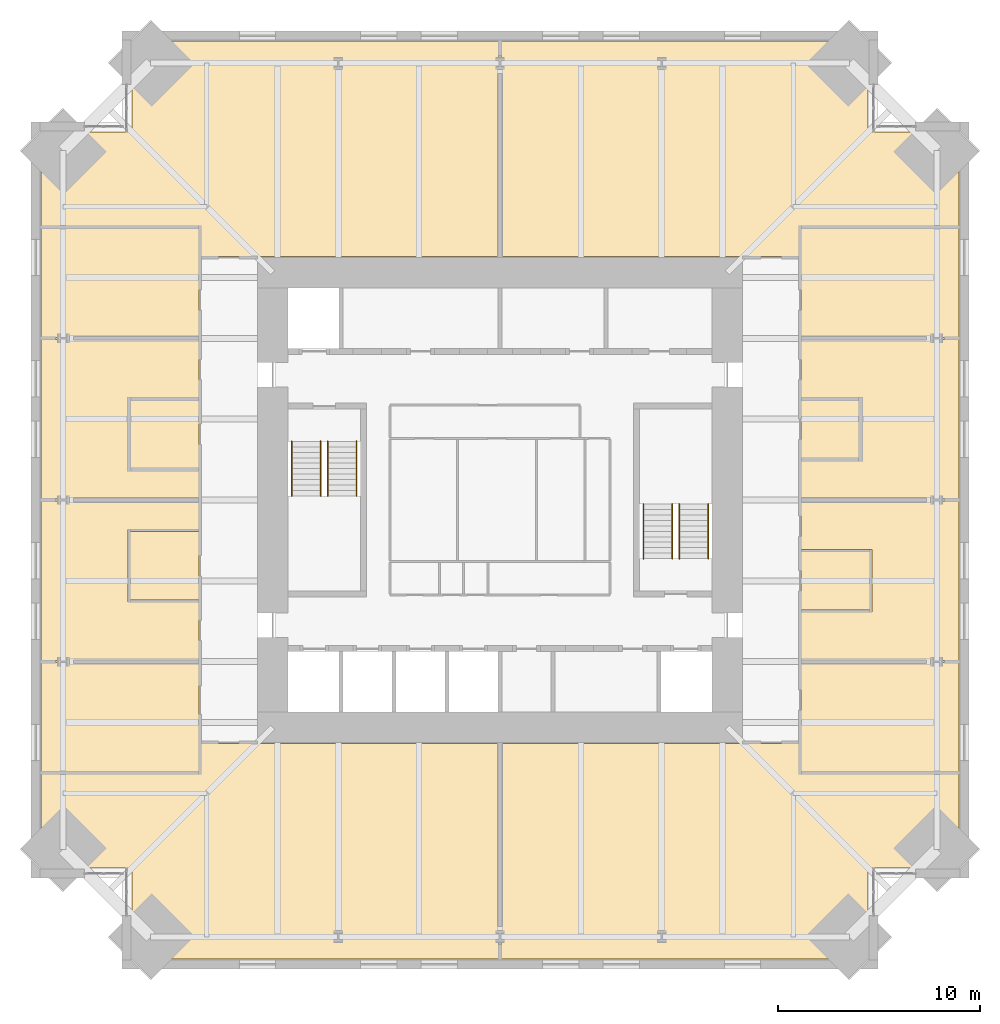
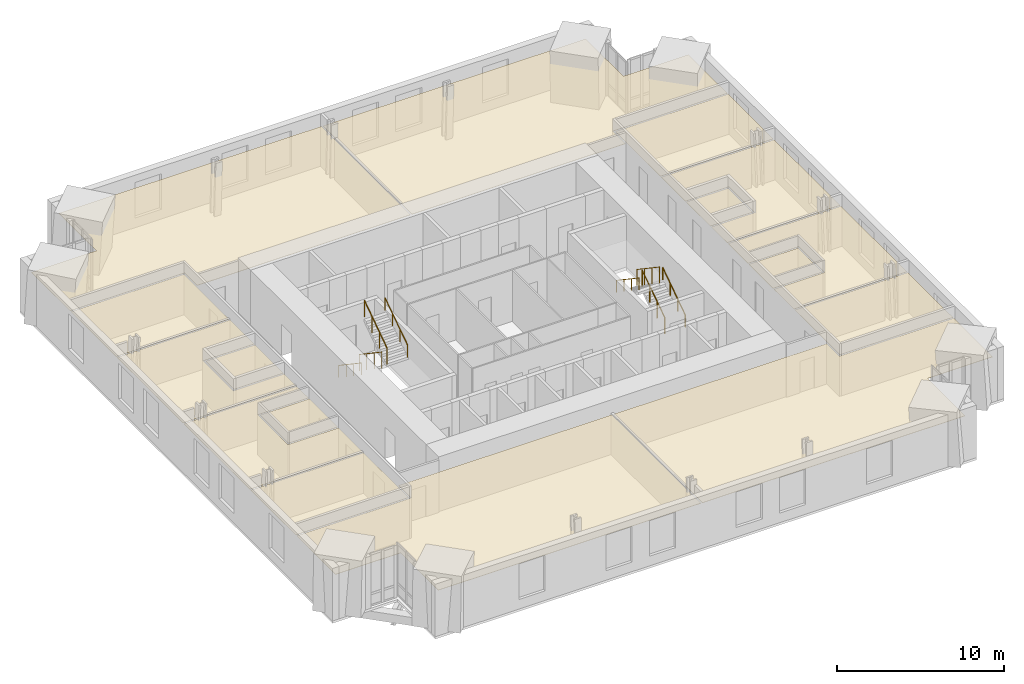
# One storey, part 15 of 15: 16 coverings, 8 railings.
"""IFC4 building model written with IfcOpenShell, lengths in metres."""

from ifc_helpers import new_model, si_unit, direction, frame, origin, origin_2d, place, context, subcontext, project, spatial, polyline, circle, outline, extrude, material, layer, layer_set, type_object, element, save


model = new_model("IFC4")

# Units and contexts
model_context = context("Model", 3, precision=1e-05, world=origin(), true_north=direction((0.0, 1.0)))
body_context = subcontext(model_context, "Body", "Model", "MODEL_VIEW")
ifc_project = project(units=[si_unit("LENGTHUNIT", "METRE"), si_unit("AREAUNIT", "SQUARE_METRE"), si_unit("VOLUMEUNIT", "CUBIC_METRE"), si_unit("PLANEANGLEUNIT", "RADIAN"), si_unit("MASSUNIT", "GRAM", prefix="KILO")], contexts=[model_context])

# Site, building, storey
site_placement = place(None, origin())
site = spatial("IfcSite", under=ifc_project, at=site_placement, CompositionType="ELEMENT")
building_placement = place(site_placement, origin())
building = spatial("IfcBuilding", under=site, at=building_placement, Name="Peilmerk Tower", CompositionType="ELEMENT")
storey_placement = place(building_placement, frame((0.0, 0.0, 229.800048828125)))
storey = spatial("IfcBuildingStorey", under=building, at=storey_placement, Name="L50", CompositionType="ELEMENT", Elevation=229.800048828125)

# Coverings
ifc_material_1 = material(Name="Mineral fibre ceiling tiles", Category="mineral")
ifc_layer = layer(ifc_material_1, 0.02490234375)
ifc_layer_set = layer_set([ifc_layer], Name="Mineral fibre ceiling tiles")
covering_type = type_object("IfcCoveringType", Name="CL1 25 suspended ceiling", PredefinedType="CEILING", material=ifc_layer_set)
covering_1_placement = place(storey_placement, frame((0.0, 0.0, 2.905029296875)))
element("IfcCovering", 1, at=covering_1_placement, inside=storey, type_object=covering_type, Name="Suspended ceiling Office", PredefinedType="CEILING", context=body_context, shape_type="SweptSolid", body=[
    extrude(outline(polyline([(-22.699951171875, 18.199951171875), (-22.699951171875, 13.550048828125), (-14.800048828125, 13.550048828125), (-14.800048828125, 12.050048828125), (-0.050048828125, 12.050048828125), (-0.050048828125, 22.699951171875), (-18.199951171875, 22.699951171875), (-18.199951171875, 18.199951171875), (-22.699951171875, 18.199951171875)])), origin(), (0.0, 0.0, 1.0), 0.02490234375),
])
covering_2_placement = place(storey_placement, frame((0.0, 0.0, 2.905029296875)))
element("IfcCovering", 2, at=covering_2_placement, inside=storey, type_object=covering_type, Name="Suspended ceiling Office", PredefinedType="CEILING", context=body_context, shape_type="SweptSolid", body=[
    extrude(outline(polyline([(18.199951171875, 22.699951171875), (0.050048828125, 22.699951171875), (0.050048828125, 12.050048828125), (14.800048828125, 12.050048828125), (14.800048828125, 13.550048828125), (22.699951171875, 13.550048828125), (22.699951171875, 18.199951171875), (18.199951171875, 18.199951171875), (18.199951171875, 22.699951171875)])), origin(), (0.0, 0.0, 1.0), 0.02490234375),
])
covering_3_placement = place(storey_placement, frame((0.0, 0.0, 2.905029296875)))
element("IfcCovering", 3, at=covering_3_placement, inside=storey, type_object=covering_type, Name="Suspended ceiling Office", PredefinedType="CEILING", context=body_context, shape_type="SweptSolid", body=[
    extrude(outline(polyline([(-18.199951171875, -22.699951171875), (-0.050048828125, -22.699951171875), (-0.050048828125, -12.050048828125), (-14.800048828125, -12.050048828125), (-14.800048828125, -13.550048828125), (-22.699951171875, -13.550048828125), (-22.699951171875, -18.199951171875), (-18.199951171875, -18.199951171875), (-18.199951171875, -22.699951171875)])), origin(), (0.0, 0.0, 1.0), 0.02490234375),
])
covering_4_placement = place(storey_placement, frame((0.0, 0.0, 2.905029296875)))
element("IfcCovering", 4, at=covering_4_placement, inside=storey, type_object=covering_type, Name="Suspended ceiling Office", PredefinedType="CEILING", context=body_context, shape_type="SweptSolid", body=[
    extrude(outline(polyline([(0.050048828125, -22.699951171875), (18.199951171875, -22.699951171875), (18.199951171875, -18.199951171875), (22.699951171875, -18.199951171875), (22.699951171875, -13.550048828125), (14.800048828125, -13.550048828125), (14.800048828125, -12.050048828125), (0.050048828125, -12.050048828125), (0.050048828125, -22.699951171875)])), origin(), (0.0, 0.0, 1.0), 0.02490234375),
])
covering_5_placement = place(storey_placement, frame((0.0, 0.0, 2.905029296875)))
element("IfcCovering", 5, at=covering_5_placement, inside=storey, type_object=covering_type, Name="Suspended ceiling Office", PredefinedType="CEILING", context=body_context, shape_type="SweptSolid", body=[
    extrude(outline(polyline([(22.699951171875, -13.449951171875), (22.699951171875, -8.050048828125), (14.89990234375, -8.050048828125), (14.89990234375, -13.449951171875), (22.699951171875, -13.449951171875)])), origin(), (0.0, 0.0, 1.0), 0.02490234375),
])
covering_6_placement = place(storey_placement, frame((0.0, 0.0, 2.905029296875)))
element("IfcCovering", 6, at=covering_6_placement, inside=storey, type_object=covering_type, Name="Suspended ceiling Office", PredefinedType="CEILING", context=body_context, shape_type="SweptSolid", body=[
    extrude(outline(polyline([(14.89990234375, -7.949951171875), (22.699951171875, -7.949951171875), (22.699951171875, -0.050048828125), (14.89990234375, -0.050048828125), (14.89990234375, -2.449951171875), (18.39990234375, -2.449951171875), (18.39990234375, -5.550048828125), (14.89990234375, -5.550048828125), (14.89990234375, -7.949951171875)])), origin(), (0.0, 0.0, 1.0), 0.02490234375),
])
covering_7_placement = place(storey_placement, frame((0.0, 0.0, 2.905029296875)))
element("IfcCovering", 7, at=covering_7_placement, inside=storey, type_object=covering_type, Name="Suspended ceiling Office", PredefinedType="CEILING", context=body_context, shape_type="SweptSolid", body=[
    extrude(outline(polyline([(14.89990234375, 0.050048828125), (22.699951171875, 0.050048828125), (22.699951171875, 7.949951171875), (14.89990234375, 7.949951171875), (14.89990234375, 5.050048828125), (17.89990234375, 5.050048828125), (17.89990234375, 1.949951171875), (14.89990234375, 1.949951171875), (14.89990234375, 0.050048828125)])), origin(), (0.0, 0.0, 1.0), 0.02490234375),
])
covering_8_placement = place(storey_placement, frame((0.0, 0.0, 2.905029296875)))
element("IfcCovering", 8, at=covering_8_placement, inside=storey, type_object=covering_type, Name="Suspended ceiling Meeting room", PredefinedType="CEILING", context=body_context, shape_type="SweptSolid", body=[
    extrude(outline(polyline([(22.699951171875, 8.050048828125), (22.699951171875, 13.449951171875), (14.89990234375, 13.449951171875), (14.89990234375, 8.050048828125), (22.699951171875, 8.050048828125)])), origin(), (0.0, 0.0, 1.0), 0.02490234375),
])
covering_9_placement = place(storey_placement, frame((0.0, 0.0, 2.905029296875)))
element("IfcCovering", 9, at=covering_9_placement, inside=storey, type_object=covering_type, Name="Suspended ceiling Print room", PredefinedType="CEILING", context=body_context, shape_type="SweptSolid", body=[
    extrude(outline(polyline([(17.800048828125, 2.050048828125), (17.800048828125, 4.949951171875), (14.89990234375, 4.949951171875), (14.89990234375, 2.050048828125), (17.800048828125, 2.050048828125)])), origin(), (0.0, 0.0, 1.0), 0.02490234375),
])
covering_10_placement = place(storey_placement, frame((0.0, 0.0, 2.905029296875)))
element("IfcCovering", 10, at=covering_10_placement, inside=storey, type_object=covering_type, Name="Suspended ceiling Focus room", PredefinedType="CEILING", context=body_context, shape_type="SweptSolid", body=[
    extrude(outline(polyline([(18.300048828125, -5.449951171875), (18.300048828125, -2.550048828125), (14.89990234375, -2.550048828125), (14.89990234375, -5.449951171875), (18.300048828125, -5.449951171875)])), origin(), (0.0, 0.0, 1.0), 0.02490234375),
])
covering_11_placement = place(storey_placement, frame((0.0, 0.0, 2.905029296875)))
element("IfcCovering", 11, at=covering_11_placement, inside=storey, type_object=covering_type, Name="Suspended ceiling Library", PredefinedType="CEILING", context=body_context, shape_type="SweptSolid", body=[
    extrude(outline(polyline([(-22.699951171875, -8.050048828125), (-22.699951171875, -13.449951171875), (-14.89990234375, -13.449951171875), (-14.89990234375, -8.050048828125), (-22.699951171875, -8.050048828125)])), origin(), (0.0, 0.0, 1.0), 0.02490234375),
])
covering_12_placement = place(storey_placement, frame((0.0, 0.0, 2.905029296875)))
element("IfcCovering", 12, at=covering_12_placement, inside=storey, type_object=covering_type, Name="Suspended ceiling Office", PredefinedType="CEILING", context=body_context, shape_type="SweptSolid", body=[
    extrude(outline(polyline([(-14.89990234375, -0.050048828125), (-22.699951171875, -0.050048828125), (-22.699951171875, -7.949951171875), (-14.89990234375, -7.949951171875), (-14.89990234375, -5.050048828125), (-18.39990234375, -5.050048828125), (-18.39990234375, -1.449951171875), (-14.89990234375, -1.449951171875), (-14.89990234375, -0.050048828125)])), origin(), (0.0, 0.0, 1.0), 0.02490234375),
])
covering_13_placement = place(storey_placement, frame((0.0, 0.0, 2.905029296875)))
element("IfcCovering", 13, at=covering_13_placement, inside=storey, type_object=covering_type, Name="Suspended ceiling Office", PredefinedType="CEILING", context=body_context, shape_type="SweptSolid", body=[
    extrude(outline(polyline([(-14.89990234375, 7.949951171875), (-22.699951171875, 7.949951171875), (-22.699951171875, 0.050048828125), (-14.89990234375, 0.050048828125), (-14.89990234375, 1.449951171875), (-18.39990234375, 1.449951171875), (-18.39990234375, 5.050048828125), (-14.89990234375, 5.050048828125), (-14.89990234375, 7.949951171875)])), origin(), (0.0, 0.0, 1.0), 0.02490234375),
])
covering_14_placement = place(storey_placement, frame((0.0, 0.0, 2.905029296875)))
element("IfcCovering", 14, at=covering_14_placement, inside=storey, type_object=covering_type, Name="Suspended ceiling Office", PredefinedType="CEILING", context=body_context, shape_type="SweptSolid", body=[
    extrude(outline(polyline([(-22.699951171875, 13.449951171875), (-22.699951171875, 8.050048828125), (-14.89990234375, 8.050048828125), (-14.89990234375, 13.449951171875), (-22.699951171875, 13.449951171875)])), origin(), (0.0, 0.0, 1.0), 0.02490234375),
])
covering_15_placement = place(storey_placement, frame((0.0, 0.0, 2.905029296875)))
element("IfcCovering", 15, at=covering_15_placement, inside=storey, type_object=covering_type, Name="Suspended ceiling Pantry", PredefinedType="CEILING", context=body_context, shape_type="SweptSolid", body=[
    extrude(outline(polyline([(-14.89990234375, -4.949951171875), (-14.89990234375, -1.550048828125), (-18.300048828125, -1.550048828125), (-18.300048828125, -4.949951171875), (-14.89990234375, -4.949951171875)])), origin(), (0.0, 0.0, 1.0), 0.02490234375),
])
covering_16_placement = place(storey_placement, frame((0.0, 0.0, 2.905029296875)))
element("IfcCovering", 16, at=covering_16_placement, inside=storey, type_object=covering_type, Name="Suspended ceiling Project room", PredefinedType="CEILING", context=body_context, shape_type="SweptSolid", body=[
    extrude(outline(polyline([(-14.89990234375, 1.550048828125), (-14.89990234375, 4.949951171875), (-18.300048828125, 4.949951171875), (-18.300048828125, 1.550048828125), (-14.89990234375, 1.550048828125)])), origin(), (0.0, 0.0, 1.0), 0.02490234375),
])

# Railings
ifc_material_2 = material(Name="Steel flat bar balustrade", Category="steel")
railing_type_1 = type_object("IfcRailingType", Name="GR1 1200 stair guard", PredefinedType="GUARDRAIL", material=ifc_material_2)
railing_1_placement = place(storey_placement, frame((-8.8798828125, 2.89990234375, 0.181884765625)))
element("IfcRailing", 17, at=railing_1_placement, inside=storey, type_object=railing_type_1, Name="Guard stair 1 L50", PredefinedType="GUARDRAIL", context=body_context, shape_type="SweptSolid", body=[
    extrude(circle(Radius=0.02392578125, at=origin_2d()), frame((0.0, 0.0, 1.17578125), z_axis=(0.0, -0.829468130872, 0.55855404382), x_axis=(1.0, 0.0, 0.0)), (0.0, 0.0, 1.0), 3.255126953125),
    extrude(circle(Radius=0.02099609375, at=origin_2d()), origin(), (0.0, 0.0, 1.0), 1.15185546875),
    extrude(circle(Radius=0.02099609375, at=origin_2d()), frame((0.0, -0.89990234375, 0.60595703125)), (0.0, 0.0, 1.0), 1.15185546875),
    extrude(circle(Radius=0.02099609375, at=origin_2d()), frame((0.0, -1.800048828125, 1.212158203125)), (0.0, 0.0, 1.0), 1.15185546875),
    extrude(circle(Radius=0.02099609375, at=origin_2d()), frame((0.0, -2.699951171875, 1.818115234375)), (0.0, 0.0, 1.0), 1.15185546875),
])
for number, where, name in (
    (18, (-8.52001953125, 0.199951171875, 2.181884765625), "Guard stair 1 L50"),
    (19, (8.8798828125, -2.89990234375, 0.181884765625), "Guard stair 2 L50"),
):
    element("IfcRailing", number, at=place(storey_placement, frame(where)), inside=storey, type_object=railing_type_1, Name=name, PredefinedType="GUARDRAIL", context=body_context, shape_type="SweptSolid", body=[
        extrude(circle(Radius=0.02392578125, at=origin_2d()), frame((0.0, 0.0, 1.17578125), z_axis=(0.0, 0.829468130872, 0.55855404382), x_axis=(-1.0, 0.0, 0.0)), (0.0, 0.0, 1.0), 3.255126953125),
        extrude(circle(Radius=0.02099609375, at=origin_2d()), origin(), (0.0, 0.0, 1.0), 1.15185546875),
        extrude(circle(Radius=0.02099609375, at=origin_2d()), frame((0.0, 0.89990234375, 0.60595703125)), (0.0, 0.0, 1.0), 1.15185546875),
        extrude(circle(Radius=0.02099609375, at=origin_2d()), frame((0.0, 1.800048828125, 1.212158203125)), (0.0, 0.0, 1.0), 1.15185546875),
        extrude(circle(Radius=0.02099609375, at=origin_2d()), frame((0.0, 2.699951171875, 1.818115234375)), (0.0, 0.0, 1.0), 1.15185546875),
    ])
railing_2_placement = place(storey_placement, frame((8.52001953125, -0.199951171875, 2.181884765625)))
element("IfcRailing", 20, at=railing_2_placement, inside=storey, type_object=railing_type_1, Name="Guard stair 2 L50", PredefinedType="GUARDRAIL", context=body_context, shape_type="SweptSolid", body=[
    extrude(circle(Radius=0.02392578125, at=origin_2d()), frame((0.0, 0.0, 1.17578125), z_axis=(0.0, -0.829468130872, 0.55855404382), x_axis=(1.0, 0.0, 0.0)), (0.0, 0.0, 1.0), 3.255126953125),
    extrude(circle(Radius=0.02099609375, at=origin_2d()), origin(), (0.0, 0.0, 1.0), 1.15185546875),
    extrude(circle(Radius=0.02099609375, at=origin_2d()), frame((0.0, -0.89990234375, 0.60595703125)), (0.0, 0.0, 1.0), 1.15185546875),
    extrude(circle(Radius=0.02099609375, at=origin_2d()), frame((0.0, -1.800048828125, 1.212158203125)), (0.0, 0.0, 1.0), 1.15185546875),
    extrude(circle(Radius=0.02099609375, at=origin_2d()), frame((0.0, -2.699951171875, 1.818115234375)), (0.0, 0.0, 1.0), 1.15185546875),
])
ifc_material_3 = material(Name="Stainless steel tube", Category="steel")
railing_type_2 = type_object("IfcRailingType", Name="HR1 900 stair handrail", PredefinedType="HANDRAIL", material=ifc_material_3)
railing_3_placement = place(storey_placement, frame((-10.300048828125, 2.89990234375, 0.181884765625)))
element("IfcRailing", 21, at=railing_3_placement, inside=storey, type_object=railing_type_2, Name="Handrail stair 1 L50", PredefinedType="HANDRAIL", context=body_context, shape_type="SweptSolid", body=[
    extrude(circle(Radius=0.02392578125, at=origin_2d()), frame((0.0, 0.0, 0.8759765625), z_axis=(0.0, -0.829468130872, 0.55855404382), x_axis=(1.0, 0.0, 0.0)), (0.0, 0.0, 1.0), 3.255126953125),
    extrude(circle(Radius=0.02099609375, at=origin_2d()), origin(), (0.0, 0.0, 1.0), 0.851806640625),
    extrude(circle(Radius=0.02099609375, at=origin_2d()), frame((0.0, -0.89990234375, 0.60595703125)), (0.0, 0.0, 1.0), 0.851806640625),
    extrude(circle(Radius=0.02099609375, at=origin_2d()), frame((0.0, -1.800048828125, 1.212158203125)), (0.0, 0.0, 1.0), 0.851806640625),
    extrude(circle(Radius=0.02099609375, at=origin_2d()), frame((0.0, -2.699951171875, 1.818115234375)), (0.0, 0.0, 1.0), 0.851806640625),
])
for number, where, name in (
    (22, (-7.10009765625, 0.199951171875, 2.181884765625), "Handrail stair 1 L50"),
    (23, (10.300048828125, -2.89990234375, 0.181884765625), "Handrail stair 2 L50"),
):
    element("IfcRailing", number, at=place(storey_placement, frame(where)), inside=storey, type_object=railing_type_2, Name=name, PredefinedType="HANDRAIL", context=body_context, shape_type="SweptSolid", body=[
        extrude(circle(Radius=0.02392578125, at=origin_2d()), frame((0.0, 0.0, 0.8759765625), z_axis=(0.0, 0.829468130872, 0.55855404382), x_axis=(-1.0, 0.0, 0.0)), (0.0, 0.0, 1.0), 3.255126953125),
        extrude(circle(Radius=0.02099609375, at=origin_2d()), origin(), (0.0, 0.0, 1.0), 0.851806640625),
        extrude(circle(Radius=0.02099609375, at=origin_2d()), frame((0.0, 0.89990234375, 0.60595703125)), (0.0, 0.0, 1.0), 0.851806640625),
        extrude(circle(Radius=0.02099609375, at=origin_2d()), frame((0.0, 1.800048828125, 1.212158203125)), (0.0, 0.0, 1.0), 0.851806640625),
        extrude(circle(Radius=0.02099609375, at=origin_2d()), frame((0.0, 2.699951171875, 1.818115234375)), (0.0, 0.0, 1.0), 0.851806640625),
    ])
railing_4_placement = place(storey_placement, frame((7.10009765625, -0.199951171875, 2.181884765625)))
element("IfcRailing", 24, at=railing_4_placement, inside=storey, type_object=railing_type_2, Name="Handrail stair 2 L50", PredefinedType="HANDRAIL", context=body_context, shape_type="SweptSolid", body=[
    extrude(circle(Radius=0.02392578125, at=origin_2d()), frame((0.0, 0.0, 0.8759765625), z_axis=(0.0, -0.829468130872, 0.55855404382), x_axis=(1.0, 0.0, 0.0)), (0.0, 0.0, 1.0), 3.255126953125),
    extrude(circle(Radius=0.02099609375, at=origin_2d()), origin(), (0.0, 0.0, 1.0), 0.851806640625),
    extrude(circle(Radius=0.02099609375, at=origin_2d()), frame((0.0, -0.89990234375, 0.60595703125)), (0.0, 0.0, 1.0), 0.851806640625),
    extrude(circle(Radius=0.02099609375, at=origin_2d()), frame((0.0, -1.800048828125, 1.212158203125)), (0.0, 0.0, 1.0), 0.851806640625),
    extrude(circle(Radius=0.02099609375, at=origin_2d()), frame((0.0, -2.699951171875, 1.818115234375)), (0.0, 0.0, 1.0), 0.851806640625),
])

save(model, "model.ifc")
